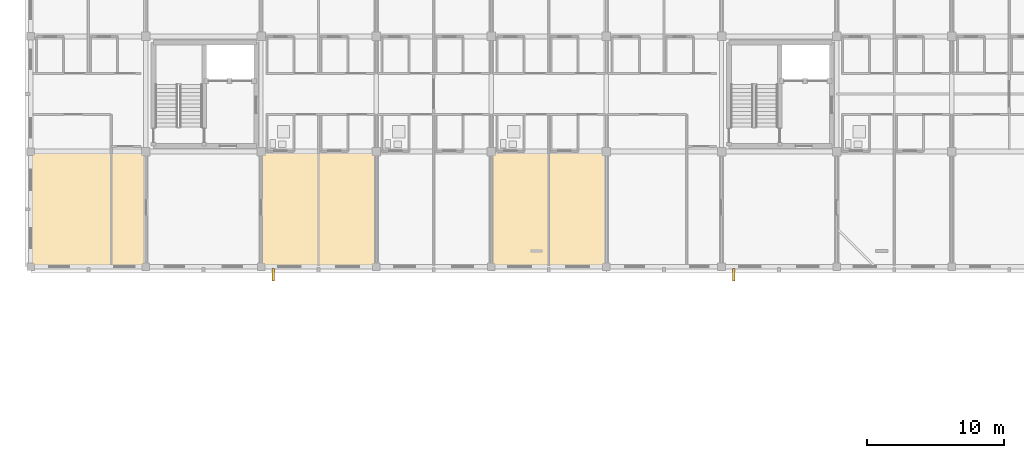
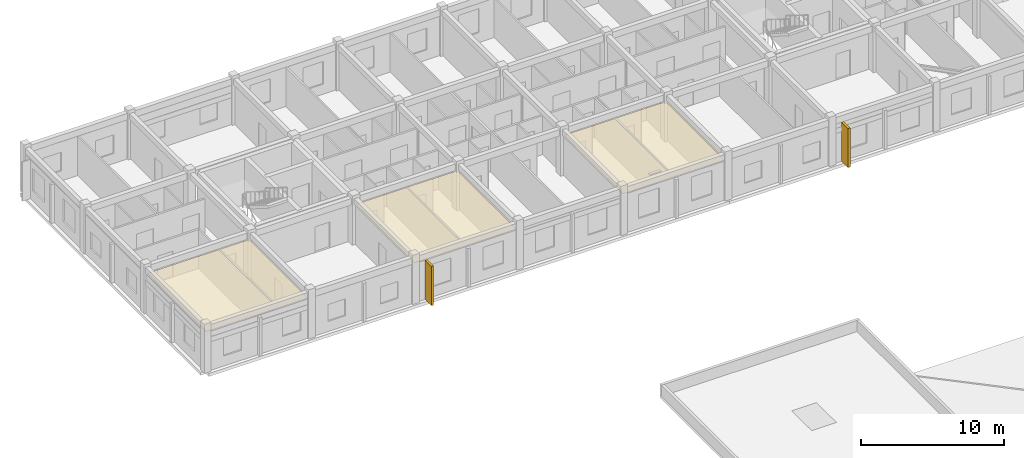
# One storey, part 17 of 21: 3 coverings, 2 shading devices.
"""IFC4 building model written with IfcOpenShell, lengths in metres."""

from ifc_helpers import new_model, si_unit, direction, frame, origin, origin_2d, place, context, subcontext, project, spatial, polyline, rectangle, outline, extrude, material, layer, layer_set, type_object, element, save


model = new_model("IFC4")

# Units and contexts
model_context = context("Model", 3, precision=1e-05, world=origin(), true_north=direction((0.0, 1.0)))
body_context = subcontext(model_context, "Body", "Model", "MODEL_VIEW")
ifc_project = project(units=[si_unit("LENGTHUNIT", "METRE"), si_unit("AREAUNIT", "SQUARE_METRE"), si_unit("VOLUMEUNIT", "CUBIC_METRE"), si_unit("PLANEANGLEUNIT", "RADIAN"), si_unit("MASSUNIT", "GRAM", prefix="KILO")], contexts=[model_context])

# Site, building, storey
site_placement = place(None, origin())
site = spatial("IfcSite", under=ifc_project, at=site_placement, CompositionType="ELEMENT")
building_placement = place(site_placement, origin())
building = spatial("IfcBuilding", under=site, at=building_placement, Name="Trelvath General Hospital", CompositionType="ELEMENT")
storey_placement = place(building_placement, frame((0.0, 0.0, 28.800048828125)))
storey = spatial("IfcBuildingStorey", under=building, at=storey_placement, Name="L07", CompositionType="ELEMENT", Elevation=28.800048828125)

# Shading devices
ifc_material_1 = material(Name="Precast concrete C40/50", Category="concrete")
shading_device_type = type_object("IfcShadingDeviceType", Name="BriseSoleil PrecastFin900", PredefinedType="JALOUSIE", material=ifc_material_1)
for number, where, z_axis, x_axis, name in (
    (1, (51.298828125, 91.81005859375, 0.0), (0.0, 0.0, 1.0), (0.0, -1.0, 0.0), "Solar Brise-Soleil Screen L07-105"),
    (2, (84.898681640625, 91.81005859375, 0.0), (0.0, 0.0, 1.0), (0.0, -1.0, 0.0), "Solar Brise-Soleil Screen L07-107"),
):
    element("IfcShadingDevice", number, at=place(storey_placement, frame(where, z_axis=z_axis, x_axis=x_axis)), inside=storey, type_object=shading_device_type, Name=name, PredefinedType="JALOUSIE", context=body_context, shape_type="SweptSolid", body=[
        extrude(rectangle(XDim=0.89990234375, YDim=0.179931640625, at=origin_2d()), origin(), (0.0, 0.0, 1.0), 3.340087890625),
    ])

# Coverings
ifc_material_2 = material(Name="Hygienic acoustic ceiling tile")
ifc_layer = layer(ifc_material_2, 0.02490234375)
ifc_layer_set = layer_set([ifc_layer], Name="Hygienic acoustic ceiling tile")
covering_type = type_object("IfcCoveringType", Name="Ceiling ClinicalAcoustic", PredefinedType="CEILING", material=ifc_layer_set)
covering_1_placement = place(storey_placement, frame((0.0, 0.0, 3.199951171875)))
element("IfcCovering", 3, at=covering_1_placement, inside=storey, type_object=covering_type, Name="Clinical Acoustic Ceiling L07-81", PredefinedType="CEILING", context=body_context, shape_type="SweptSolid", body=[
    extrude(outline(polyline([(33.699951171875, 92.5), (41.89990234375, 92.5), (41.89990234375, 100.719970703125), (33.699951171875, 100.719970703125), (33.699951171875, 92.5)])), origin(), (0.0, 0.0, 1.0), 0.02490234375),
])
covering_2_placement = place(storey_placement, frame((0.0, 0.0, 3.199951171875)))
element("IfcCovering", 4, at=covering_2_placement, inside=storey, type_object=covering_type, Name="Clinical Acoustic Ceiling L07-82", PredefinedType="CEILING", context=body_context, shape_type="SweptSolid", body=[
    extrude(outline(polyline([(50.5, 92.5), (58.699951171875, 92.5), (58.699951171875, 100.719970703125), (50.5, 100.719970703125), (50.5, 92.5)])), origin(), (0.0, 0.0, 1.0), 0.02490234375),
])
covering_3_placement = place(storey_placement, frame((0.0, 0.0, 3.199951171875)))
element("IfcCovering", 5, at=covering_3_placement, inside=storey, type_object=covering_type, Name="Clinical Acoustic Ceiling L07-83", PredefinedType="CEILING", context=body_context, shape_type="SweptSolid", body=[
    extrude(outline(polyline([(67.300048828125, 92.5), (75.5, 92.5), (75.5, 100.719970703125), (67.300048828125, 100.719970703125), (67.300048828125, 92.5)])), origin(), (0.0, 0.0, 1.0), 0.02490234375),
])

save(model, "model.ifc")
